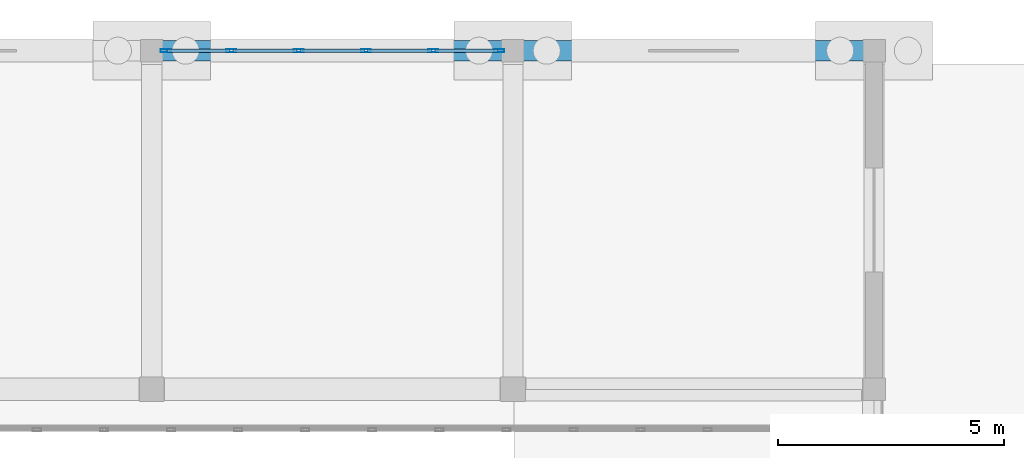
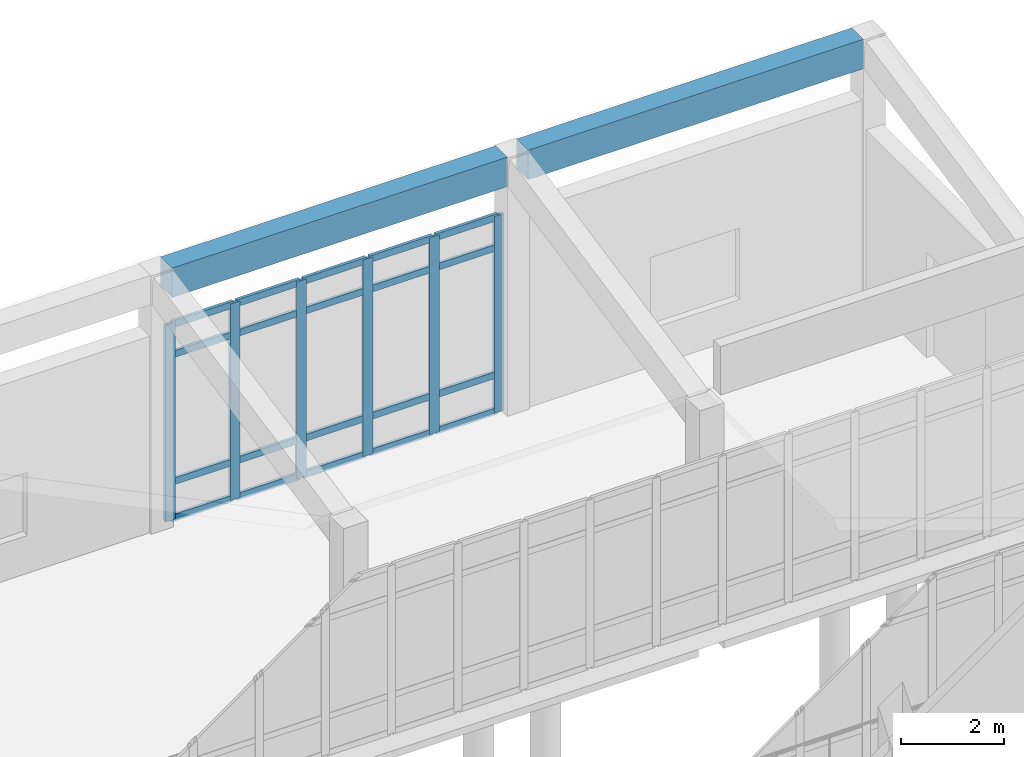
# One storey, part 121 of 173: 26 members, 2 beams, 1 element without a shape of its own.
"""IFC4 building model written with IfcOpenShell, lengths in metres."""

from ifc_helpers import new_model, si_unit, direction, frame, origin, origin_2d, place, context, subcontext, project, spatial, rectangle, hollow_rectangle, extrude, material, layer, layer_set, material_profile, profile_set, type_object, element, aggregate, save


model = new_model("IFC4")

# Units and contexts
model_context = context("Model", 3, precision=1e-05, world=origin(), true_north=direction((0.0, 1.0)))
body_context = subcontext(model_context, "Body", "Model", "MODEL_VIEW")
ifc_project = project(units=[si_unit("LENGTHUNIT", "METRE"), si_unit("AREAUNIT", "SQUARE_METRE"), si_unit("VOLUMEUNIT", "CUBIC_METRE"), si_unit("PLANEANGLEUNIT", "RADIAN"), si_unit("MASSUNIT", "GRAM", prefix="KILO")], contexts=[model_context])

# Site, building, storey
site_placement = place(None, origin())
site = spatial("IfcSite", under=ifc_project, at=site_placement, CompositionType="ELEMENT")
building_placement = place(site_placement, origin())
building = spatial("IfcBuilding", under=site, at=building_placement, Name="Mawjan Specialist Oncology Clinic", CompositionType="ELEMENT")
storey_placement = place(building_placement, origin())
storey = spatial("IfcBuildingStorey", under=building, at=storey_placement, Name="L00", CompositionType="ELEMENT", Elevation=0.0)

# Beams
ifc_material_1 = material(Name="Concrete C40/50", Category="concrete")
ifc_material_profile_1 = material_profile(ifc_material_1, rectangle(XDim=0.449951171875, YDim=0.699951171875, at=origin_2d()), Name="RC BM 450x700", Category="concrete")
ifc_profile_set_1 = profile_set([ifc_material_profile_1], Name="Concrete C40/50")
beam_type = type_object("IfcBeamType", Name="BM-450x700", PredefinedType="BEAM", material=ifc_profile_set_1)
for number, where, z_axis, x_axis, name in (
    (1, (132.235107421875, 113.300048828125, 5.7861328125), (1.0, 0.0, 0.0), (0.0, 1.0, 0.0), "L00 Roof Framing Beam BM-RF-L00-1260"),
    (2, (140.235107421875, 113.300048828125, 5.7861328125), (1.0, 0.0, 0.0), (0.0, 1.0, 0.0), "L00 Roof Framing Beam BM-RF-L00-1261"),
):
    element("IfcBeam", number, at=place(storey_placement, frame(where, z_axis=z_axis, x_axis=x_axis)), inside=storey, type_object=beam_type, Name=name, PredefinedType="BEAM", context=body_context, shape_type="SweptSolid", body=[
        extrude(rectangle(XDim=0.449951171875, YDim=0.699951171875, at=origin_2d()), origin(), (0.0, 0.0, 1.0), 7.52978515625),
    ])

# Curtain wall, members
ifc_material_2 = material(Name="Unitised spectrally selective aluminium curtain wall", Category="aluminium")
ifc_layer = layer(ifc_material_2, 0.179931640625, Name="Unitised spectrally selective aluminium curtain wall", Category="aluminium")
ifc_layer_set = layer_set([ifc_layer], Name="Unitised spectrally selective aluminium curtain wall")
curtain_wall_type = type_object("IfcCurtainWallType", Name="CW-15", PredefinedType="NOTDEFINED", material=ifc_layer_set)
curtain_wall_placement = place(storey_placement, origin())
curtain_wall = element("IfcCurtainWall", 3, at=curtain_wall_placement, inside=storey, type_object=curtain_wall_type, Name="L00 Unitised Curtain Wall CW-L00-028", PredefinedType="NOTDEFINED")
ifc_material_3 = material(Name="Thermally broken aluminium 6063-T6", Category="aluminium")
ifc_material_profile_2 = material_profile(ifc_material_3, hollow_rectangle(XDim=0.070068359375, YDim=0.219970703125, WallThickness=0.00390625, at=origin_2d()), Name="ALU MULLION 220x70x4", Category="aluminium")
ifc_profile_set_2 = profile_set([ifc_material_profile_2], Name="Thermally broken aluminium 6063-T6")
member_type_1 = type_object("IfcMemberType", Name="CW-M220", PredefinedType="MULLION", material=ifc_profile_set_2)
member_1_placement = place(storey_placement, frame((132.304931640625, 113.300048828125, 0.0), z_axis=(0.0, 0.0, 1.0), x_axis=(0.0, 1.0, 0.0)))
member_1 = element("IfcMember", 4, at=member_1_placement, type_object=member_type_1, Name="CW-15 mullion 1", PredefinedType="MULLION", context=body_context, shape_type="SweptSolid", body=[
    extrude(hollow_rectangle(XDim=0.070068359375, YDim=0.219970703125, WallThickness=0.00390625, at=origin_2d()), origin(), (0.0, 0.0, 1.0), 4.669921875),
])
member_2_placement = place(storey_placement, frame((133.761962890625, 113.300048828125, 0.0), z_axis=(0.0, 0.0, 1.0), x_axis=(0.0, 1.0, 0.0)))
member_2 = element("IfcMember", 5, at=member_2_placement, type_object=member_type_1, Name="CW-15 mullion 2", PredefinedType="MULLION", context=body_context, shape_type="SweptSolid", body=[
    extrude(hollow_rectangle(XDim=0.070068359375, YDim=0.219970703125, WallThickness=0.00390625, at=origin_2d()), origin(), (0.0, 0.0, 1.0), 4.669921875),
])
member_3_placement = place(storey_placement, frame((135.25390625, 113.300048828125, 0.0), z_axis=(0.0, 0.0, 1.0), x_axis=(0.0, 1.0, 0.0)))
member_3 = element("IfcMember", 6, at=member_3_placement, type_object=member_type_1, Name="CW-15 mullion 3", PredefinedType="MULLION", context=body_context, shape_type="SweptSolid", body=[
    extrude(hollow_rectangle(XDim=0.070068359375, YDim=0.219970703125, WallThickness=0.00390625, at=origin_2d()), origin(), (0.0, 0.0, 1.0), 4.669921875),
])
member_4_placement = place(storey_placement, frame((136.74609375, 113.300048828125, 0.0), z_axis=(0.0, 0.0, 1.0), x_axis=(0.0, 1.0, 0.0)))
member_4 = element("IfcMember", 7, at=member_4_placement, type_object=member_type_1, Name="CW-15 mullion 4", PredefinedType="MULLION", context=body_context, shape_type="SweptSolid", body=[
    extrude(hollow_rectangle(XDim=0.070068359375, YDim=0.219970703125, WallThickness=0.00390625, at=origin_2d()), origin(), (0.0, 0.0, 1.0), 4.669921875),
])
member_5_placement = place(storey_placement, frame((138.238037109375, 113.300048828125, 0.0), z_axis=(0.0, 0.0, 1.0), x_axis=(0.0, 1.0, 0.0)))
member_5 = element("IfcMember", 8, at=member_5_placement, type_object=member_type_1, Name="CW-15 mullion 5", PredefinedType="MULLION", context=body_context, shape_type="SweptSolid", body=[
    extrude(hollow_rectangle(XDim=0.070068359375, YDim=0.219970703125, WallThickness=0.00390625, at=origin_2d()), origin(), (0.0, 0.0, 1.0), 4.669921875),
])
member_6_placement = place(storey_placement, frame((139.695068359375, 113.300048828125, 0.0), z_axis=(0.0, 0.0, 1.0), x_axis=(0.0, 1.0, 0.0)))
member_6 = element("IfcMember", 9, at=member_6_placement, type_object=member_type_1, Name="CW-15 mullion 6", PredefinedType="MULLION", context=body_context, shape_type="SweptSolid", body=[
    extrude(hollow_rectangle(XDim=0.070068359375, YDim=0.219970703125, WallThickness=0.00390625, at=origin_2d()), origin(), (0.0, 0.0, 1.0), 4.669921875),
])
ifc_material_4 = material(Name="Thermally broken aluminium 6063-T6", Category="aluminium")
ifc_material_profile_3 = material_profile(ifc_material_4, hollow_rectangle(XDim=0.070068359375, YDim=0.159912109375, WallThickness=0.00390625, at=origin_2d()), Name="ALU TRANSOM 160x70x4", Category="aluminium")
ifc_profile_set_3 = profile_set([ifc_material_profile_3], Name="Thermally broken aluminium 6063-T6")
member_type_2 = type_object("IfcMemberType", Name="CW-T160", PredefinedType="USERDEFINED", material=ifc_profile_set_3)
member_7_placement = place(storey_placement, frame((132.340087890625, 113.300048828125, 0.034912109375), z_axis=(1.0, 0.0, 0.0), x_axis=(0.0, 1.0, 0.0)))
member_7 = element("IfcMember", 10, at=member_7_placement, type_object=member_type_2, Name="CW-15 transom 1.1", ObjectType="TRANSOM", PredefinedType="USERDEFINED", context=body_context, shape_type="SweptSolid", body=[
    extrude(hollow_rectangle(XDim=0.070068359375, YDim=0.159912109375, WallThickness=0.00390625, at=origin_2d()), origin(), (0.0, 0.0, 1.0), 1.386962890625),
])
member_8_placement = place(storey_placement, frame((132.340087890625, 113.300048828125, 0.89990234375), z_axis=(1.0, 0.0, 0.0), x_axis=(0.0, 1.0, 0.0)))
member_8 = element("IfcMember", 11, at=member_8_placement, type_object=member_type_2, Name="CW-15 transom 1.2", ObjectType="TRANSOM", PredefinedType="USERDEFINED", context=body_context, shape_type="SweptSolid", body=[
    extrude(hollow_rectangle(XDim=0.070068359375, YDim=0.159912109375, WallThickness=0.00390625, at=origin_2d()), origin(), (0.0, 0.0, 1.0), 1.386962890625),
])
member_9_placement = place(storey_placement, frame((132.340087890625, 113.300048828125, 3.919921875), z_axis=(1.0, 0.0, 0.0), x_axis=(0.0, 1.0, 0.0)))
member_9 = element("IfcMember", 12, at=member_9_placement, type_object=member_type_2, Name="CW-15 transom 1.3", ObjectType="TRANSOM", PredefinedType="USERDEFINED", context=body_context, shape_type="SweptSolid", body=[
    extrude(hollow_rectangle(XDim=0.070068359375, YDim=0.159912109375, WallThickness=0.00390625, at=origin_2d()), origin(), (0.0, 0.0, 1.0), 1.386962890625),
])
member_10_placement = place(storey_placement, frame((132.340087890625, 113.300048828125, 4.635009765625), z_axis=(1.0, 0.0, 0.0), x_axis=(0.0, 1.0, 0.0)))
member_10 = element("IfcMember", 13, at=member_10_placement, type_object=member_type_2, Name="CW-15 transom 1.4", ObjectType="TRANSOM", PredefinedType="USERDEFINED", context=body_context, shape_type="SweptSolid", body=[
    extrude(hollow_rectangle(XDim=0.070068359375, YDim=0.159912109375, WallThickness=0.00390625, at=origin_2d()), origin(), (0.0, 0.0, 1.0), 1.386962890625),
])
member_11_placement = place(storey_placement, frame((133.797119140625, 113.300048828125, 0.034912109375), z_axis=(1.0, 0.0, 0.0), x_axis=(0.0, 1.0, 0.0)))
member_11 = element("IfcMember", 14, at=member_11_placement, type_object=member_type_2, Name="CW-15 transom 2.1", ObjectType="TRANSOM", PredefinedType="USERDEFINED", context=body_context, shape_type="SweptSolid", body=[
    extrude(hollow_rectangle(XDim=0.070068359375, YDim=0.159912109375, WallThickness=0.00390625, at=origin_2d()), origin(), (0.0, 0.0, 1.0), 1.421875),
])
member_12_placement = place(storey_placement, frame((133.797119140625, 113.300048828125, 0.89990234375), z_axis=(1.0, 0.0, 0.0), x_axis=(0.0, 1.0, 0.0)))
member_12 = element("IfcMember", 15, at=member_12_placement, type_object=member_type_2, Name="CW-15 transom 2.2", ObjectType="TRANSOM", PredefinedType="USERDEFINED", context=body_context, shape_type="SweptSolid", body=[
    extrude(hollow_rectangle(XDim=0.070068359375, YDim=0.159912109375, WallThickness=0.00390625, at=origin_2d()), origin(), (0.0, 0.0, 1.0), 1.421875),
])
member_13_placement = place(storey_placement, frame((133.797119140625, 113.300048828125, 3.919921875), z_axis=(1.0, 0.0, 0.0), x_axis=(0.0, 1.0, 0.0)))
member_13 = element("IfcMember", 16, at=member_13_placement, type_object=member_type_2, Name="CW-15 transom 2.3", ObjectType="TRANSOM", PredefinedType="USERDEFINED", context=body_context, shape_type="SweptSolid", body=[
    extrude(hollow_rectangle(XDim=0.070068359375, YDim=0.159912109375, WallThickness=0.00390625, at=origin_2d()), origin(), (0.0, 0.0, 1.0), 1.421875),
])
member_14_placement = place(storey_placement, frame((133.797119140625, 113.300048828125, 4.635009765625), z_axis=(1.0, 0.0, 0.0), x_axis=(0.0, 1.0, 0.0)))
member_14 = element("IfcMember", 17, at=member_14_placement, type_object=member_type_2, Name="CW-15 transom 2.4", ObjectType="TRANSOM", PredefinedType="USERDEFINED", context=body_context, shape_type="SweptSolid", body=[
    extrude(hollow_rectangle(XDim=0.070068359375, YDim=0.159912109375, WallThickness=0.00390625, at=origin_2d()), origin(), (0.0, 0.0, 1.0), 1.421875),
])
member_15_placement = place(storey_placement, frame((135.2890625, 113.300048828125, 0.034912109375), z_axis=(1.0, 0.0, 0.0), x_axis=(0.0, 1.0, 0.0)))
member_15 = element("IfcMember", 18, at=member_15_placement, type_object=member_type_2, Name="CW-15 transom 3.1", ObjectType="TRANSOM", PredefinedType="USERDEFINED", context=body_context, shape_type="SweptSolid", body=[
    extrude(hollow_rectangle(XDim=0.070068359375, YDim=0.159912109375, WallThickness=0.00390625, at=origin_2d()), origin(), (0.0, 0.0, 1.0), 1.421875),
])
member_16_placement = place(storey_placement, frame((135.2890625, 113.300048828125, 0.89990234375), z_axis=(1.0, 0.0, 0.0), x_axis=(0.0, 1.0, 0.0)))
member_16 = element("IfcMember", 19, at=member_16_placement, type_object=member_type_2, Name="CW-15 transom 3.2", ObjectType="TRANSOM", PredefinedType="USERDEFINED", context=body_context, shape_type="SweptSolid", body=[
    extrude(hollow_rectangle(XDim=0.070068359375, YDim=0.159912109375, WallThickness=0.00390625, at=origin_2d()), origin(), (0.0, 0.0, 1.0), 1.421875),
])
member_17_placement = place(storey_placement, frame((135.2890625, 113.300048828125, 3.919921875), z_axis=(1.0, 0.0, 0.0), x_axis=(0.0, 1.0, 0.0)))
member_17 = element("IfcMember", 20, at=member_17_placement, type_object=member_type_2, Name="CW-15 transom 3.3", ObjectType="TRANSOM", PredefinedType="USERDEFINED", context=body_context, shape_type="SweptSolid", body=[
    extrude(hollow_rectangle(XDim=0.070068359375, YDim=0.159912109375, WallThickness=0.00390625, at=origin_2d()), origin(), (0.0, 0.0, 1.0), 1.421875),
])
member_18_placement = place(storey_placement, frame((135.2890625, 113.300048828125, 4.635009765625), z_axis=(1.0, 0.0, 0.0), x_axis=(0.0, 1.0, 0.0)))
member_18 = element("IfcMember", 21, at=member_18_placement, type_object=member_type_2, Name="CW-15 transom 3.4", ObjectType="TRANSOM", PredefinedType="USERDEFINED", context=body_context, shape_type="SweptSolid", body=[
    extrude(hollow_rectangle(XDim=0.070068359375, YDim=0.159912109375, WallThickness=0.00390625, at=origin_2d()), origin(), (0.0, 0.0, 1.0), 1.421875),
])
member_19_placement = place(storey_placement, frame((136.781005859375, 113.300048828125, 0.034912109375), z_axis=(1.0, 0.0, 0.0), x_axis=(0.0, 1.0, 0.0)))
member_19 = element("IfcMember", 22, at=member_19_placement, type_object=member_type_2, Name="CW-15 transom 4.1", ObjectType="TRANSOM", PredefinedType="USERDEFINED", context=body_context, shape_type="SweptSolid", body=[
    extrude(hollow_rectangle(XDim=0.070068359375, YDim=0.159912109375, WallThickness=0.00390625, at=origin_2d()), origin(), (0.0, 0.0, 1.0), 1.421875),
])
member_20_placement = place(storey_placement, frame((136.781005859375, 113.300048828125, 0.89990234375), z_axis=(1.0, 0.0, 0.0), x_axis=(0.0, 1.0, 0.0)))
member_20 = element("IfcMember", 23, at=member_20_placement, type_object=member_type_2, Name="CW-15 transom 4.2", ObjectType="TRANSOM", PredefinedType="USERDEFINED", context=body_context, shape_type="SweptSolid", body=[
    extrude(hollow_rectangle(XDim=0.070068359375, YDim=0.159912109375, WallThickness=0.00390625, at=origin_2d()), origin(), (0.0, 0.0, 1.0), 1.421875),
])
member_21_placement = place(storey_placement, frame((136.781005859375, 113.300048828125, 3.919921875), z_axis=(1.0, 0.0, 0.0), x_axis=(0.0, 1.0, 0.0)))
member_21 = element("IfcMember", 24, at=member_21_placement, type_object=member_type_2, Name="CW-15 transom 4.3", ObjectType="TRANSOM", PredefinedType="USERDEFINED", context=body_context, shape_type="SweptSolid", body=[
    extrude(hollow_rectangle(XDim=0.070068359375, YDim=0.159912109375, WallThickness=0.00390625, at=origin_2d()), origin(), (0.0, 0.0, 1.0), 1.421875),
])
member_22_placement = place(storey_placement, frame((136.781005859375, 113.300048828125, 4.635009765625), z_axis=(1.0, 0.0, 0.0), x_axis=(0.0, 1.0, 0.0)))
member_22 = element("IfcMember", 25, at=member_22_placement, type_object=member_type_2, Name="CW-15 transom 4.4", ObjectType="TRANSOM", PredefinedType="USERDEFINED", context=body_context, shape_type="SweptSolid", body=[
    extrude(hollow_rectangle(XDim=0.070068359375, YDim=0.159912109375, WallThickness=0.00390625, at=origin_2d()), origin(), (0.0, 0.0, 1.0), 1.421875),
])
member_23_placement = place(storey_placement, frame((138.27294921875, 113.300048828125, 0.034912109375), z_axis=(1.0, 0.0, 0.0), x_axis=(0.0, 1.0, 0.0)))
member_23 = element("IfcMember", 26, at=member_23_placement, type_object=member_type_2, Name="CW-15 transom 5.1", ObjectType="TRANSOM", PredefinedType="USERDEFINED", context=body_context, shape_type="SweptSolid", body=[
    extrude(hollow_rectangle(XDim=0.070068359375, YDim=0.159912109375, WallThickness=0.00390625, at=origin_2d()), origin(), (0.0, 0.0, 1.0), 1.386962890625),
])
member_24_placement = place(storey_placement, frame((138.27294921875, 113.300048828125, 0.89990234375), z_axis=(1.0, 0.0, 0.0), x_axis=(0.0, 1.0, 0.0)))
member_24 = element("IfcMember", 27, at=member_24_placement, type_object=member_type_2, Name="CW-15 transom 5.2", ObjectType="TRANSOM", PredefinedType="USERDEFINED", context=body_context, shape_type="SweptSolid", body=[
    extrude(hollow_rectangle(XDim=0.070068359375, YDim=0.159912109375, WallThickness=0.00390625, at=origin_2d()), origin(), (0.0, 0.0, 1.0), 1.386962890625),
])
member_25_placement = place(storey_placement, frame((138.27294921875, 113.300048828125, 3.919921875), z_axis=(1.0, 0.0, 0.0), x_axis=(0.0, 1.0, 0.0)))
member_25 = element("IfcMember", 28, at=member_25_placement, type_object=member_type_2, Name="CW-15 transom 5.3", ObjectType="TRANSOM", PredefinedType="USERDEFINED", context=body_context, shape_type="SweptSolid", body=[
    extrude(hollow_rectangle(XDim=0.070068359375, YDim=0.159912109375, WallThickness=0.00390625, at=origin_2d()), origin(), (0.0, 0.0, 1.0), 1.386962890625),
])
member_26_placement = place(storey_placement, frame((138.27294921875, 113.300048828125, 4.635009765625), z_axis=(1.0, 0.0, 0.0), x_axis=(0.0, 1.0, 0.0)))
member_26 = element("IfcMember", 29, at=member_26_placement, type_object=member_type_2, Name="CW-15 transom 5.4", ObjectType="TRANSOM", PredefinedType="USERDEFINED", context=body_context, shape_type="SweptSolid", body=[
    extrude(hollow_rectangle(XDim=0.070068359375, YDim=0.159912109375, WallThickness=0.00390625, at=origin_2d()), origin(), (0.0, 0.0, 1.0), 1.386962890625),
])
aggregate(curtain_wall, [member_1, member_2, member_3, member_4, member_5, member_6, member_7, member_8, member_9, member_10, member_11, member_12, member_13, member_14, member_15, member_16, member_17, member_18, member_19, member_20, member_21, member_22, member_23, member_24, member_25, member_26])

save(model, "model.ifc")
